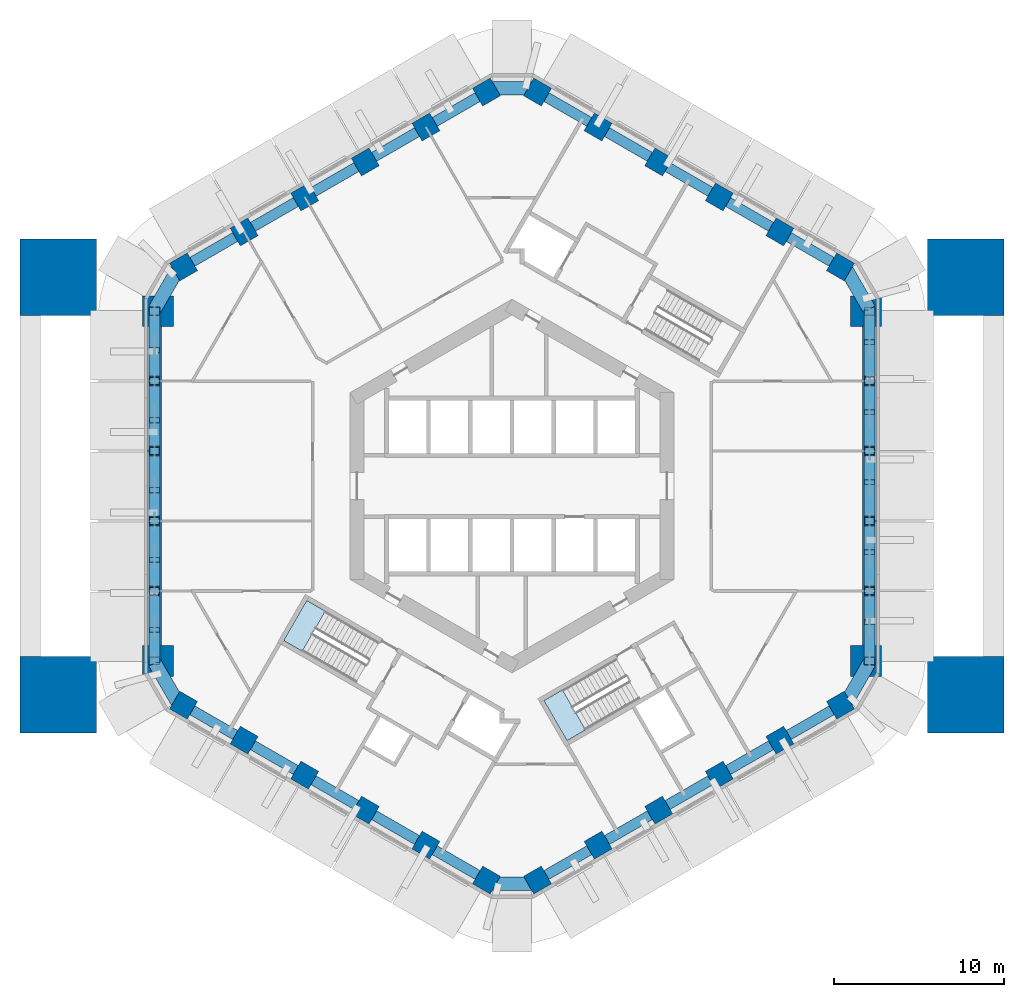
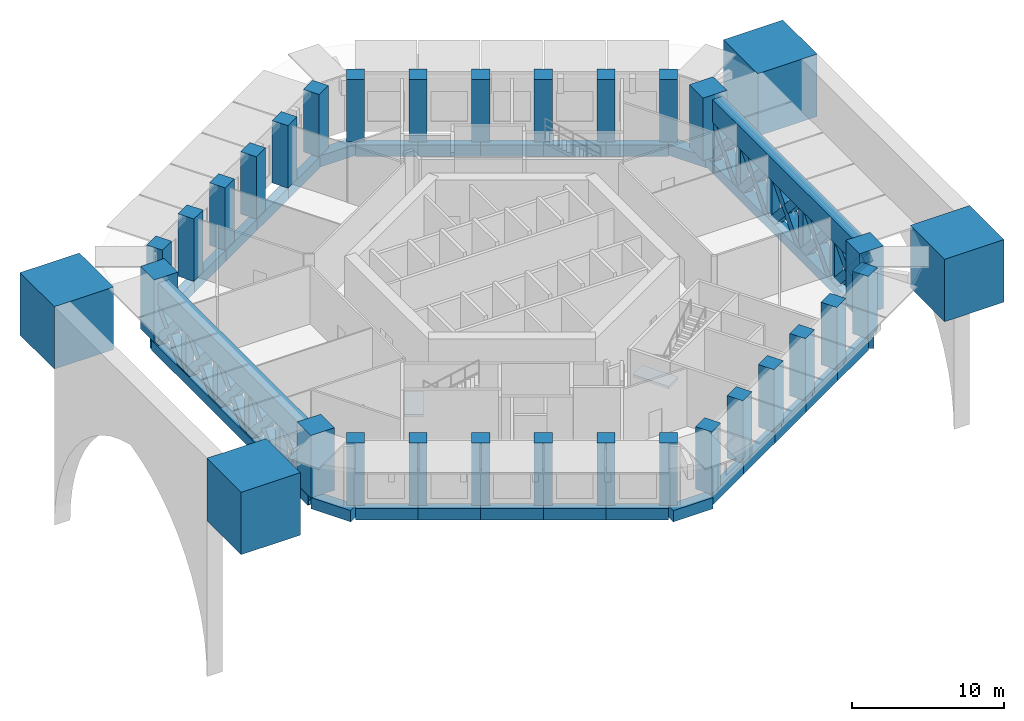
# One storey, part 1 of 10: 42 members, 32 columns, 26 beams, 2 slabs, 2 elements without a shape of their own.
"""IFC4 building model written with IfcOpenShell, lengths in metres."""

import ifcopenshell
import ifcopenshell.guid

model = None  # the IFC model being written
_history = None  # IfcOwnerHistory: only IFC2X3 demands one
_inside = {}  # id of a spatial element -> (the spatial element, [elements in it])
_under = {}  # id of a project, library or spatial element -> (it, [spatial elements below it])
_declared = {}  # id of a project -> (the project, [libraries it declares])
_typed = {}  # id of a type object -> (the type object, [elements of that type])
_made_of = {}  # id of a material, layer set ... -> (it, [elements and type objects made of it])


def new_model(schema):
    """Start an empty IFC model of exactly this schema.

    Asked for "IFC4X3", IfcOpenShell would pick the latest addendum, in which some entities
    have other attributes; the version numbers below select the first issue.
    IFC2X3 requires an IfcOwnerHistory on every rooted entity: one is made here for all.
    """
    global model, _history
    if schema == "IFC4X3":
        model = ifcopenshell.file(schema_version=(4, 3, 0, 0))
    else:
        model = ifcopenshell.file(schema=schema)
    _inside.clear()
    _under.clear()
    _declared.clear()
    _typed.clear()
    _made_of.clear()
    _history = None
    if model.schema == "IFC2X3":
        org = make("IfcOrganization", Name="unknown")
        user = make(
            "IfcPersonAndOrganization",
            ThePerson=make("IfcPerson", FamilyName="unknown"),
            TheOrganization=org,
        )
        app = make(
            "IfcApplication",
            ApplicationDeveloper=org,
            Version="unknown",
            ApplicationFullName="unknown",
            ApplicationIdentifier="unknown",
        )
        _history = make(
            "IfcOwnerHistory",
            OwningUser=user,
            OwningApplication=app,
            ChangeAction="ADDED",
            CreationDate=0,
        )
    return model


def make(cls, **values):
    """One entity of the class cls with the attributes given. An attribute that is None is left unset."""
    return model.create_entity(
        cls, **{name: value for name, value in values.items() if value is not None}
    )


def rooted(cls, **values):
    """An entity with a GlobalId (a new one), such as an element, a storey or a relation."""
    return make(cls, GlobalId=ifcopenshell.guid.new(), OwnerHistory=_history, **values)


def si_unit(unit_type, name, prefix=None):
    """IfcSIUnit, for example si_unit("LENGTHUNIT", "METRE", prefix="MILLI")."""
    return make("IfcSIUnit", UnitType=unit_type, Prefix=prefix, Name=name)


def assignment(units):
    """IfcUnitAssignment: the units of a project."""
    return None if units is None else make("IfcUnitAssignment", Units=units)


def point(xyz):
    """IfcCartesianPoint."""
    return None if xyz is None else make("IfcCartesianPoint", Coordinates=xyz)


def direction(xyz):
    """IfcDirection."""
    return None if xyz is None else make("IfcDirection", DirectionRatios=xyz)


def frame(location, z_axis=None, x_axis=None):
    """IfcAxis2Placement3D, a coordinate frame: its origin and axes. An axis left out is left unset."""
    return make(
        "IfcAxis2Placement3D",
        Location=point(location),
        Axis=direction(z_axis),
        RefDirection=direction(x_axis),
    )


def frame_2d(location, x_axis=None):
    """IfcAxis2Placement2D, a coordinate frame in the plane: its origin and x axis."""
    return make(
        "IfcAxis2Placement2D", Location=point(location), RefDirection=direction(x_axis)
    )


def origin():
    """The frame at (0, 0, 0) with its axes left unset."""
    return frame((0.0, 0.0, 0.0))


def origin_2d():
    """The frame at (0, 0) in the plane with its x axis left unset."""
    return frame_2d((0.0, 0.0))


def place(relative_to, where):
    """IfcLocalPlacement: puts the frame where relative to a parent placement (None: the world)."""
    return make(
        "IfcLocalPlacement", PlacementRelTo=relative_to, RelativePlacement=where
    )


def context(
    kind, dimensions, precision=None, world=None, true_north=None, identifier=None
):
    """IfcGeometricRepresentationContext, for example the 3D "Model" context."""
    return make(
        "IfcGeometricRepresentationContext",
        ContextIdentifier=identifier,
        ContextType=kind,
        CoordinateSpaceDimension=dimensions,
        Precision=precision,
        WorldCoordinateSystem=world,
        TrueNorth=true_north,
    )


def subcontext(parent, identifier, kind, view, scale=None):
    """IfcGeometricRepresentationSubContext, for example "Body" below "Model"."""
    return make(
        "IfcGeometricRepresentationSubContext",
        ContextIdentifier=identifier,
        ContextType=kind,
        ParentContext=parent,
        TargetScale=scale,
        TargetView=view,
    )


def project(units=None, contexts=None):
    """IfcProject with its units and contexts."""
    return rooted(
        "IfcProject",
        Name="project",
        RepresentationContexts=contexts,
        UnitsInContext=assignment(units),
    )


def spatial(cls, under=None, at=None, **own):
    """A site, building, storey or space (cls), placed at a placement, below another one or the project."""
    s = rooted(cls, ObjectPlacement=at, **own)
    if under is not None:
        _under.setdefault(under.id(), (under, []))[1].append(s)
    return s


def polyline(points):
    """IfcPolyline through the points."""
    return make("IfcPolyline", Points=[point(p) for p in points])


def profile(cls, at=None, kind="AREA", **sizes):
    """A parametric profile (cls). Its sizes go by their IFC names, for example OverallWidth=200.0."""
    return make(cls, ProfileType=kind, Position=at, **sizes)


def rectangle(**sizes):
    """IfcRectangleProfileDef."""
    return profile("IfcRectangleProfileDef", **sizes)


def hollow_rectangle(**sizes):
    """IfcRectangleHollowProfileDef."""
    return profile("IfcRectangleHollowProfileDef", **sizes)


def outline(outer, holes=None, kind="AREA"):
    """IfcArbitraryClosedProfileDef: a profile drawn as a closed curve; with holes, ...WithVoids."""
    if holes is None:
        return make("IfcArbitraryClosedProfileDef", ProfileType=kind, OuterCurve=outer)
    return make(
        "IfcArbitraryProfileDefWithVoids",
        ProfileType=kind,
        OuterCurve=outer,
        InnerCurves=holes,
    )


def extrude(swept, where, along, depth):
    """IfcExtrudedAreaSolid: the profile swept, set in the frame where, extruded along a direction by depth."""
    return make(
        "IfcExtrudedAreaSolid",
        SweptArea=swept,
        Position=where,
        ExtrudedDirection=direction(along),
        Depth=depth,
    )


def shape(context_of_items, identifier, shape_type, items):
    """IfcShapeRepresentation: the items that make up one representation, for example the "Body"."""
    return make(
        "IfcShapeRepresentation",
        ContextOfItems=context_of_items,
        RepresentationIdentifier=identifier,
        RepresentationType=shape_type,
        Items=items,
    )


def material(Name=None, Category=None):
    """IfcMaterial."""
    return make("IfcMaterial", Name=Name, Category=Category)


def layer(
    of_material, thickness, ventilated=None, Name=None, Category=None, Priority=None
):
    """IfcMaterialLayer: one layer of a wall or slab, of a material (None: an air gap)."""
    return make(
        "IfcMaterialLayer",
        Material=of_material,
        LayerThickness=thickness,
        IsVentilated=ventilated,
        Name=Name,
        Category=Category,
        Priority=Priority,
    )


def layer_set(layers, Name=None):
    """IfcMaterialLayerSet."""
    return make("IfcMaterialLayerSet", MaterialLayers=layers, LayerSetName=Name)


def material_profile(
    of_material, cross_section, Name=None, Category=None, Priority=None
):
    """IfcMaterialProfile: a cross section and its material."""
    return make(
        "IfcMaterialProfile",
        Name=Name,
        Material=of_material,
        Profile=cross_section,
        Priority=Priority,
        Category=Category,
    )


def profile_set(profiles, Name=None, composite=None):
    """IfcMaterialProfileSet."""
    return make(
        "IfcMaterialProfileSet",
        Name=Name,
        MaterialProfiles=profiles,
        CompositeProfile=composite,
    )


def made_of(thing, what):
    """Note that an element or type object is made of a material, layer set ...; save() writes the relation."""
    if what is not None:
        _made_of.setdefault(what.id(), (what, []))[1].append(thing)
    return thing


def type_object(cls, material=None, **own):
    """A type object (cls), such as IfcWallType, which elements share."""
    return made_of(rooted(cls, **own), material)


def element(
    cls,
    number,
    at=None,
    inside=None,
    cuts=None,
    type_object=None,
    material=None,
    context=None,
    identifier="Body",
    shape_type=None,
    held_by="IfcProductDefinitionShape",
    body=None,
    shapes=None,
    **own,
):
    """One element of the class cls, such as IfcWall. Its Tag is "e" and its number.

    at: its placement. inside: the storey or other place that contains it. cuts: it is an
    opening in that element (IfcRelVoidsElement). A single representation is given by context,
    identifier, shape_type and body (its items); several are given by shapes. held_by: the class
    of the entity that holds the representations. save() writes the other relations.
    """
    e = rooted(cls, Tag="e%d" % number, ObjectPlacement=at, **own)
    if body is not None:
        shapes = [shape(context, identifier, shape_type, body)]
    if shapes is not None:
        e.Representation = make(held_by, Representations=shapes)
    if inside is not None:
        _inside.setdefault(inside.id(), (inside, []))[1].append(e)
    if cuts is not None:
        rooted(
            "IfcRelVoidsElement", RelatingBuildingElement=cuts, RelatedOpeningElement=e
        )
    if type_object is not None:
        _typed.setdefault(type_object.id(), (type_object, []))[1].append(e)
    return made_of(e, material)


def aggregate(whole, parts):
    """IfcRelAggregates: a whole, such as a stair, and the parts it consists of."""
    return rooted("IfcRelAggregates", RelatingObject=whole, RelatedObjects=parts)


def save(model, path):
    """Write the relations noted so far, then the file.

    IfcRelAggregates (storeys below a building ...), IfcRelContainedInSpatialStructure (elements
    in a storey), IfcRelDefinesByType, IfcRelAssociatesMaterial and IfcRelDeclares: one each for
    every whole, place, type object, material and project.
    """
    for whole, parts in _under.values():
        aggregate(whole, parts)
    for where, things in _inside.values():
        rooted(
            "IfcRelContainedInSpatialStructure",
            RelatedElements=things,
            RelatingStructure=where,
        )
    for kind, things in _typed.values():
        rooted("IfcRelDefinesByType", RelatedObjects=things, RelatingType=kind)
    for what, things in _made_of.values():
        rooted("IfcRelAssociatesMaterial", RelatedObjects=things, RelatingMaterial=what)
    for by, libraries in _declared.values():
        rooted("IfcRelDeclares", RelatingContext=by, RelatedDefinitions=libraries)
    model.write(path)


model = new_model("IFC4")

# Units and contexts
model_context = context("Model", 3, precision=1e-05, world=origin(), true_north=direction((0.0, 1.0)))
body_context = subcontext(model_context, "Body", "Model", "MODEL_VIEW")
ifc_project = project(units=[si_unit("LENGTHUNIT", "METRE"), si_unit("AREAUNIT", "SQUARE_METRE"), si_unit("VOLUMEUNIT", "CUBIC_METRE"), si_unit("PLANEANGLEUNIT", "RADIAN"), si_unit("MASSUNIT", "GRAM", prefix="KILO")], contexts=[model_context])

# Site, building, storey
site_placement = place(None, origin())
site = spatial("IfcSite", under=ifc_project, at=site_placement, CompositionType="ELEMENT")
building_placement = place(site_placement, origin())
building = spatial("IfcBuilding", under=site, at=building_placement, Name="Ayvan Gate Tower", CompositionType="ELEMENT")
storey_placement = place(building_placement, frame((0.0, 0.0, 20.5)))
storey = spatial("IfcBuildingStorey", under=building, at=storey_placement, Name="L04", CompositionType="ELEMENT", Elevation=20.5)

# Columns
ifc_material_1 = material(Name="Concrete C60/75", Category="concrete")
ifc_material_profile_1 = material_profile(ifc_material_1, rectangle(XDim=4.5, YDim=4.5, at=origin_2d()), Name="RC 4500x4500")
ifc_profile_set_1 = profile_set([ifc_material_profile_1], Name="Concrete C60/75")
column_type_1 = type_object("IfcColumnType", Name="Portal pier RC 4500x4500 C60/75", PredefinedType="COLUMN", material=ifc_profile_set_1)
for number, where, z_axis, x_axis, name in (
    (1, (26.634521484375, 12.25, 0.0), (0.0, 0.0, 1.0), (1.0, 0.0, 0.0), "Portal pier PP-E-N L04"),
    (2, (26.634521484375, -12.25, 0.0), (0.0, 0.0, 1.0), (1.0, 0.0, 0.0), "Portal pier PP-E-S L04"),
    (3, (-26.634521484375, -12.25, 0.0), (0.0, 0.0, 1.0), (-1.0, 0.0, 0.0), "Portal pier PP-W-S L04"),
    (4, (-26.634521484375, 12.25, 0.0), (0.0, 0.0, 1.0), (-1.0, 0.0, 0.0), "Portal pier PP-W-N L04"),
):
    element("IfcColumn", number, at=place(storey_placement, frame(where, z_axis=z_axis, x_axis=x_axis)), inside=storey, type_object=column_type_1, Name=name, PredefinedType="COLUMN", context=body_context, shape_type="SweptSolid", body=[
        extrude(rectangle(XDim=4.5, YDim=4.5, at=origin_2d()), origin(), (0.0, 0.0, 1.0), 5.0),
    ])
ifc_material_2 = material(Name="Concrete C70/85", Category="concrete")
ifc_material_profile_2 = material_profile(ifc_material_2, rectangle(XDim=1.199951171875, YDim=1.199951171875, at=origin_2d()), Name="RC 1200x1200")
ifc_profile_set_2 = profile_set([ifc_material_profile_2], Name="Concrete C70/85")
column_type_2 = type_object("IfcColumnType", Name="Tube column RC 1200x1200 C70/85", PredefinedType="COLUMN", material=ifc_profile_set_2)
for number, where, z_axis, x_axis, name in (
    (5, (19.28466796875, 12.865966796875, 0.0), (0.0, 0.0, 1.0), (0.5, 0.866025403784, 0.0), "C-T1-0-L04"),
    (6, (15.727783203125, 14.919677734375, 0.0), (0.0, 0.0, 1.0), (0.5, 0.866025403784, 0.0), "C-T1-1-L04"),
    (7, (12.170654296875, 16.97314453125, 0.0), (0.0, 0.0, 1.0), (0.5, 0.866025403784, 0.0), "C-T1-2-L04"),
    (8, (8.61376953125, 19.02685546875, 0.0), (0.0, 0.0, 1.0), (0.5, 0.866025403784, 0.0), "C-T1-3-L04"),
    (9, (5.056884765625, 21.080322265625, 0.0), (0.0, 0.0, 1.0), (0.5, 0.866025403784, 0.0), "C-T1-4-L04"),
    (10, (1.5, 23.134033203125, 0.0), (0.0, 0.0, 1.0), (0.5, 0.866025403784, 0.0), "C-T1-5-L04"),
    (11, (-1.5, 23.134033203125, 0.0), (0.0, 0.0, 1.0), (-0.5, 0.866025403784, 0.0), "C-T2-0-L04"),
    (12, (-5.056884765625, 21.080322265625, 0.0), (0.0, 0.0, 1.0), (-0.5, 0.866025403784, 0.0), "C-T2-1-L04"),
    (13, (-8.61376953125, 19.02685546875, 0.0), (0.0, 0.0, 1.0), (-0.5, 0.866025403784, 0.0), "C-T2-2-L04"),
    (14, (-12.170654296875, 16.97314453125, 0.0), (0.0, 0.0, 1.0), (-0.5, 0.866025403784, 0.0), "C-T2-3-L04"),
    (15, (-15.727783203125, 14.919677734375, 0.0), (0.0, 0.0, 1.0), (-0.5, 0.866025403784, 0.0), "C-T2-4-L04"),
    (16, (-19.28466796875, 12.865966796875, 0.0), (0.0, 0.0, 1.0), (-0.5, 0.866025403784, 0.0), "C-T2-5-L04"),
    (17, (-19.28466796875, -12.865966796875, 0.0), (0.0, 0.0, 1.0), (-0.5, -0.866025403784, 0.0), "C-T4-0-L04"),
    (18, (-15.727783203125, -14.919677734375, 0.0), (0.0, 0.0, 1.0), (-0.5, -0.866025403784, 0.0), "C-T4-1-L04"),
    (19, (-12.170654296875, -16.97314453125, 0.0), (0.0, 0.0, 1.0), (-0.5, -0.866025403784, 0.0), "C-T4-2-L04"),
    (20, (-8.61376953125, -19.02685546875, 0.0), (0.0, 0.0, 1.0), (-0.5, -0.866025403784, 0.0), "C-T4-3-L04"),
    (21, (-5.056884765625, -21.080322265625, 0.0), (0.0, 0.0, 1.0), (-0.5, -0.866025403784, 0.0), "C-T4-4-L04"),
    (22, (-1.5, -23.134033203125, 0.0), (0.0, 0.0, 1.0), (-0.5, -0.866025403784, 0.0), "C-T4-5-L04"),
    (23, (1.5, -23.134033203125, 0.0), (0.0, 0.0, 1.0), (0.5, -0.866025403784, 0.0), "C-T5-0-L04"),
    (24, (5.056884765625, -21.080322265625, 0.0), (0.0, 0.0, 1.0), (0.5, -0.866025403784, 0.0), "C-T5-1-L04"),
    (25, (8.61376953125, -19.02685546875, 0.0), (0.0, 0.0, 1.0), (0.5, -0.866025403784, 0.0), "C-T5-2-L04"),
    (26, (12.170654296875, -16.97314453125, 0.0), (0.0, 0.0, 1.0), (0.5, -0.866025403784, 0.0), "C-T5-3-L04"),
    (27, (15.727783203125, -14.919677734375, 0.0), (0.0, 0.0, 1.0), (0.5, -0.866025403784, 0.0), "C-T5-4-L04"),
    (28, (19.28466796875, -12.865966796875, 0.0), (0.0, 0.0, 1.0), (0.5, -0.866025403784, 0.0), "C-T5-5-L04"),
):
    element("IfcColumn", number, at=place(storey_placement, frame(where, z_axis=z_axis, x_axis=x_axis)), inside=storey, type_object=column_type_2, Name=name, PredefinedType="COLUMN", context=body_context, shape_type="SweptSolid", body=[
        extrude(rectangle(XDim=1.199951171875, YDim=1.199951171875, at=origin_2d()), origin(), (0.0, 0.0, 1.0), 5.0),
    ])
ifc_material_profile_3 = material_profile(ifc_material_2, rectangle(XDim=1.800048828125, YDim=1.800048828125, at=origin_2d()), Name="RC 1800x1800")
ifc_profile_set_3 = profile_set([ifc_material_profile_3], Name="Concrete C70/85")
column_type_3 = type_object("IfcColumnType", Name="Tube column RC 1800x1800 C70/85", PredefinedType="COLUMN", material=ifc_profile_set_3)
for number, where, z_axis, x_axis, name in (
    (29, (20.78466796875, -10.26806640625, 0.0), (0.0, 0.0, 1.0), (1.0, 0.0, 0.0), "C-T0-0-L04"),
    (30, (20.78466796875, 10.26806640625, 0.0), (0.0, 0.0, 1.0), (1.0, 0.0, 0.0), "C-T0-5-L04"),
    (31, (-20.78466796875, 10.26806640625, 0.0), (0.0, 0.0, 1.0), (-1.0, 0.0, 0.0), "C-T3-0-L04"),
    (32, (-20.78466796875, -10.26806640625, 0.0), (0.0, 0.0, 1.0), (-1.0, 0.0, 0.0), "C-T3-5-L04"),
):
    element("IfcColumn", number, at=place(storey_placement, frame(where, z_axis=z_axis, x_axis=x_axis)), inside=storey, type_object=column_type_3, Name=name, PredefinedType="COLUMN", context=body_context, shape_type="SweptSolid", body=[
        extrude(rectangle(XDim=1.800048828125, YDim=1.800048828125, at=origin_2d()), origin(), (0.0, 0.0, 1.0), 5.0),
    ])

# Members
ifc_material_3 = material(Name="Steel S460ML", Category="steel")
ifc_material_profile_4 = material_profile(ifc_material_3, hollow_rectangle(XDim=0.800048828125, YDim=0.800048828125, WallThickness=0.050048828125, at=origin_2d()), Name="BOX 800x800x50")
ifc_profile_set_4 = profile_set([ifc_material_profile_4], Name="Steel S460ML")
member_type_1 = type_object("IfcMemberType", Name="Arch transfer truss bottom chord BOX 800x800x50", PredefinedType="CHORD", material=ifc_profile_set_4)
for number, where, z_axis, x_axis, name in (
    (33, (20.984619140625, -10.26806640625, -0.85009765625), (0.0, 1.0, 0.0), (-1.0, 0.0, 0.0), "TT-E-BC"),
    (34, (-20.984619140625, 10.26806640625, -0.85009765625), (0.0, -1.0, 0.0), (1.0, 0.0, 0.0), "TT-W-BC"),
):
    element("IfcMember", number, at=place(storey_placement, frame(where, z_axis=z_axis, x_axis=x_axis)), inside=storey, type_object=member_type_1, Name=name, PredefinedType="CHORD", context=body_context, shape_type="SweptSolid", body=[
        extrude(hollow_rectangle(XDim=0.800048828125, YDim=0.800048828125, WallThickness=0.050048828125, at=origin_2d()), origin(), (0.0, 0.0, 1.0), 20.5361328125),
    ])
ifc_material_profile_5 = material_profile(ifc_material_3, hollow_rectangle(XDim=0.64990234375, YDim=0.64990234375, WallThickness=0.0400390625, at=origin_2d()), Name="BOX 650x650x40")
ifc_profile_set_5 = profile_set([ifc_material_profile_5], Name="Steel S460ML")
member_type_2 = type_object("IfcMemberType", Name="Arch transfer truss brace BOX 650x650x40", PredefinedType="BRACE", material=ifc_profile_set_5)
member_1_placement = place(storey_placement, frame((20.984619140625, -10.26806640625, -0.85009765625), z_axis=(0.0, 0.666011048923, 0.745941876229), x_axis=(-1.0, 0.0, 0.0)))
element("IfcMember", 35, at=member_1_placement, inside=storey, type_object=member_type_2, Name="TT-E-DA-1", PredefinedType="BRACE", context=body_context, shape_type="SweptSolid", body=[
    extrude(hollow_rectangle(XDim=0.64990234375, YDim=0.64990234375, WallThickness=0.0400390625, at=origin_2d()), origin(), (0.0, 0.0, 1.0), 6.166748046875),
])
for number, where, z_axis, x_axis, name in (
    (36, (20.984619140625, -6.160888671875, -0.85009765625), (0.0, -0.666017467878, 0.745936145043), (1.0, 0.0, 0.0), "TT-E-DB-1"),
    (37, (20.984619140625, -8.36572265625, 1.619384765625), (0.0, -0.666017467878, 0.745936145043), (1.0, 0.0, 0.0), "TT-E-DC-1"),
):
    element("IfcMember", number, at=place(storey_placement, frame(where, z_axis=z_axis, x_axis=x_axis)), inside=storey, type_object=member_type_2, Name=name, PredefinedType="BRACE", context=body_context, shape_type="SweptSolid", body=[
        extrude(hollow_rectangle(XDim=0.64990234375, YDim=0.64990234375, WallThickness=0.0400390625, at=origin_2d()), origin(), (0.0, 0.0, 1.0), 2.856201171875),
    ])
member_2_placement = place(storey_placement, frame((20.984619140625, -6.160888671875, -0.85009765625), z_axis=(0.0, 0.666011048923, 0.745941876229), x_axis=(-1.0, 0.0, 0.0)))
element("IfcMember", 38, at=member_2_placement, inside=storey, type_object=member_type_2, Name="TT-E-DA-2", PredefinedType="BRACE", context=body_context, shape_type="SweptSolid", body=[
    extrude(hollow_rectangle(XDim=0.64990234375, YDim=0.64990234375, WallThickness=0.0400390625, at=origin_2d()), origin(), (0.0, 0.0, 1.0), 6.166748046875),
])
for number, where, z_axis, x_axis, name in (
    (39, (20.984619140625, -2.0537109375, -0.85009765625), (0.0, -0.666017467878, 0.745936145043), (1.0, 0.0, 0.0), "TT-E-DB-2"),
    (40, (20.984619140625, -4.258544921875, 1.619384765625), (0.0, -0.666017467878, 0.745936145043), (1.0, 0.0, 0.0), "TT-E-DC-2"),
):
    element("IfcMember", number, at=place(storey_placement, frame(where, z_axis=z_axis, x_axis=x_axis)), inside=storey, type_object=member_type_2, Name=name, PredefinedType="BRACE", context=body_context, shape_type="SweptSolid", body=[
        extrude(hollow_rectangle(XDim=0.64990234375, YDim=0.64990234375, WallThickness=0.0400390625, at=origin_2d()), origin(), (0.0, 0.0, 1.0), 2.856201171875),
    ])
member_3_placement = place(storey_placement, frame((20.984619140625, -2.0537109375, -0.85009765625), z_axis=(0.0, 0.666033076706, 0.745922208232), x_axis=(-1.0, 0.0, 0.0)))
element("IfcMember", 41, at=member_3_placement, inside=storey, type_object=member_type_2, Name="TT-E-DA-3", PredefinedType="BRACE", context=body_context, shape_type="SweptSolid", body=[
    extrude(hollow_rectangle(XDim=0.64990234375, YDim=0.64990234375, WallThickness=0.0400390625, at=origin_2d()), origin(), (0.0, 0.0, 1.0), 6.1669921875),
])
for number, where, z_axis, x_axis, name in (
    (42, (20.984619140625, 2.0537109375, -0.85009765625), (0.0, -0.666017467878, 0.745936145043), (1.0, 0.0, 0.0), "TT-E-DB-3"),
    (43, (20.984619140625, -0.1513671875, 1.619384765625), (0.0, -0.666017467878, 0.745936145043), (1.0, 0.0, 0.0), "TT-E-DC-3"),
):
    element("IfcMember", number, at=place(storey_placement, frame(where, z_axis=z_axis, x_axis=x_axis)), inside=storey, type_object=member_type_2, Name=name, PredefinedType="BRACE", context=body_context, shape_type="SweptSolid", body=[
        extrude(hollow_rectangle(XDim=0.64990234375, YDim=0.64990234375, WallThickness=0.0400390625, at=origin_2d()), origin(), (0.0, 0.0, 1.0), 2.856201171875),
    ])
member_4_placement = place(storey_placement, frame((20.984619140625, 2.0537109375, -0.85009765625), z_axis=(0.0, 0.666011048923, 0.745941876229), x_axis=(-1.0, 0.0, 0.0)))
element("IfcMember", 44, at=member_4_placement, inside=storey, type_object=member_type_2, Name="TT-E-DA-4", PredefinedType="BRACE", context=body_context, shape_type="SweptSolid", body=[
    extrude(hollow_rectangle(XDim=0.64990234375, YDim=0.64990234375, WallThickness=0.0400390625, at=origin_2d()), origin(), (0.0, 0.0, 1.0), 6.166748046875),
])
for number, where, z_axis, x_axis, name in (
    (45, (20.984619140625, 6.160888671875, -0.85009765625), (0.0, -0.666017467878, 0.745936145043), (1.0, 0.0, 0.0), "TT-E-DB-4"),
    (46, (20.984619140625, 3.9560546875, 1.619384765625), (0.0, -0.666017467878, 0.745936145043), (1.0, 0.0, 0.0), "TT-E-DC-4"),
):
    element("IfcMember", number, at=place(storey_placement, frame(where, z_axis=z_axis, x_axis=x_axis)), inside=storey, type_object=member_type_2, Name=name, PredefinedType="BRACE", context=body_context, shape_type="SweptSolid", body=[
        extrude(hollow_rectangle(XDim=0.64990234375, YDim=0.64990234375, WallThickness=0.0400390625, at=origin_2d()), origin(), (0.0, 0.0, 1.0), 2.856201171875),
    ])
member_5_placement = place(storey_placement, frame((20.984619140625, 6.160888671875, -0.85009765625), z_axis=(0.0, 0.666011048923, 0.745941876229), x_axis=(-1.0, 0.0, 0.0)))
element("IfcMember", 47, at=member_5_placement, inside=storey, type_object=member_type_2, Name="TT-E-DA-5", PredefinedType="BRACE", context=body_context, shape_type="SweptSolid", body=[
    extrude(hollow_rectangle(XDim=0.64990234375, YDim=0.64990234375, WallThickness=0.0400390625, at=origin_2d()), origin(), (0.0, 0.0, 1.0), 6.166748046875),
])
for number, where, z_axis, x_axis, name in (
    (48, (20.984619140625, 10.26806640625, -0.85009765625), (0.0, -0.666017467878, 0.745936145043), (1.0, 0.0, 0.0), "TT-E-DB-5"),
    (49, (20.984619140625, 8.063232421875, 1.619384765625), (0.0, -0.666017467878, 0.745936145043), (1.0, 0.0, 0.0), "TT-E-DC-5"),
):
    element("IfcMember", number, at=place(storey_placement, frame(where, z_axis=z_axis, x_axis=x_axis)), inside=storey, type_object=member_type_2, Name=name, PredefinedType="BRACE", context=body_context, shape_type="SweptSolid", body=[
        extrude(hollow_rectangle(XDim=0.64990234375, YDim=0.64990234375, WallThickness=0.0400390625, at=origin_2d()), origin(), (0.0, 0.0, 1.0), 2.856201171875),
    ])
member_6_placement = place(storey_placement, frame((-20.984619140625, 10.26806640625, -0.85009765625), z_axis=(0.0, -0.666011048923, 0.745941876229), x_axis=(1.0, 0.0, 0.0)))
element("IfcMember", 50, at=member_6_placement, inside=storey, type_object=member_type_2, Name="TT-W-DA-1", PredefinedType="BRACE", context=body_context, shape_type="SweptSolid", body=[
    extrude(hollow_rectangle(XDim=0.64990234375, YDim=0.64990234375, WallThickness=0.0400390625, at=origin_2d()), origin(), (0.0, 0.0, 1.0), 6.166748046875),
])
for number, where, z_axis, x_axis, name in (
    (51, (-20.984619140625, 6.160888671875, -0.85009765625), (0.0, 0.666017467878, 0.745936145043), (-1.0, 0.0, 0.0), "TT-W-DB-1"),
    (52, (-20.984619140625, 8.36572265625, 1.619384765625), (0.0, 0.666017467878, 0.745936145043), (-1.0, 0.0, 0.0), "TT-W-DC-1"),
):
    element("IfcMember", number, at=place(storey_placement, frame(where, z_axis=z_axis, x_axis=x_axis)), inside=storey, type_object=member_type_2, Name=name, PredefinedType="BRACE", context=body_context, shape_type="SweptSolid", body=[
        extrude(hollow_rectangle(XDim=0.64990234375, YDim=0.64990234375, WallThickness=0.0400390625, at=origin_2d()), origin(), (0.0, 0.0, 1.0), 2.856201171875),
    ])
member_7_placement = place(storey_placement, frame((-20.984619140625, 6.160888671875, -0.85009765625), z_axis=(0.0, -0.666011048923, 0.745941876229), x_axis=(1.0, 0.0, 0.0)))
element("IfcMember", 53, at=member_7_placement, inside=storey, type_object=member_type_2, Name="TT-W-DA-2", PredefinedType="BRACE", context=body_context, shape_type="SweptSolid", body=[
    extrude(hollow_rectangle(XDim=0.64990234375, YDim=0.64990234375, WallThickness=0.0400390625, at=origin_2d()), origin(), (0.0, 0.0, 1.0), 6.166748046875),
])
for number, where, z_axis, x_axis, name in (
    (54, (-20.984619140625, 2.0537109375, -0.85009765625), (0.0, 0.666017467878, 0.745936145043), (-1.0, 0.0, 0.0), "TT-W-DB-2"),
    (55, (-20.984619140625, 4.258544921875, 1.619384765625), (0.0, 0.666017467878, 0.745936145043), (-1.0, 0.0, 0.0), "TT-W-DC-2"),
):
    element("IfcMember", number, at=place(storey_placement, frame(where, z_axis=z_axis, x_axis=x_axis)), inside=storey, type_object=member_type_2, Name=name, PredefinedType="BRACE", context=body_context, shape_type="SweptSolid", body=[
        extrude(hollow_rectangle(XDim=0.64990234375, YDim=0.64990234375, WallThickness=0.0400390625, at=origin_2d()), origin(), (0.0, 0.0, 1.0), 2.856201171875),
    ])
member_8_placement = place(storey_placement, frame((-20.984619140625, 2.0537109375, -0.85009765625), z_axis=(0.0, -0.666033076706, 0.745922208232), x_axis=(1.0, 0.0, 0.0)))
element("IfcMember", 56, at=member_8_placement, inside=storey, type_object=member_type_2, Name="TT-W-DA-3", PredefinedType="BRACE", context=body_context, shape_type="SweptSolid", body=[
    extrude(hollow_rectangle(XDim=0.64990234375, YDim=0.64990234375, WallThickness=0.0400390625, at=origin_2d()), origin(), (0.0, 0.0, 1.0), 6.1669921875),
])
for number, where, z_axis, x_axis, name in (
    (57, (-20.984619140625, -2.0537109375, -0.85009765625), (0.0, 0.666017467878, 0.745936145043), (-1.0, 0.0, 0.0), "TT-W-DB-3"),
    (58, (-20.984619140625, 0.1513671875, 1.619384765625), (0.0, 0.666017467878, 0.745936145043), (-1.0, 0.0, 0.0), "TT-W-DC-3"),
):
    element("IfcMember", number, at=place(storey_placement, frame(where, z_axis=z_axis, x_axis=x_axis)), inside=storey, type_object=member_type_2, Name=name, PredefinedType="BRACE", context=body_context, shape_type="SweptSolid", body=[
        extrude(hollow_rectangle(XDim=0.64990234375, YDim=0.64990234375, WallThickness=0.0400390625, at=origin_2d()), origin(), (0.0, 0.0, 1.0), 2.856201171875),
    ])
member_9_placement = place(storey_placement, frame((-20.984619140625, -2.0537109375, -0.85009765625), z_axis=(0.0, -0.666011048923, 0.745941876229), x_axis=(1.0, 0.0, 0.0)))
element("IfcMember", 59, at=member_9_placement, inside=storey, type_object=member_type_2, Name="TT-W-DA-4", PredefinedType="BRACE", context=body_context, shape_type="SweptSolid", body=[
    extrude(hollow_rectangle(XDim=0.64990234375, YDim=0.64990234375, WallThickness=0.0400390625, at=origin_2d()), origin(), (0.0, 0.0, 1.0), 6.166748046875),
])
for number, where, z_axis, x_axis, name in (
    (60, (-20.984619140625, -6.160888671875, -0.85009765625), (0.0, 0.666017467878, 0.745936145043), (-1.0, 0.0, 0.0), "TT-W-DB-4"),
    (61, (-20.984619140625, -3.9560546875, 1.619384765625), (0.0, 0.666017467878, 0.745936145043), (-1.0, 0.0, 0.0), "TT-W-DC-4"),
):
    element("IfcMember", number, at=place(storey_placement, frame(where, z_axis=z_axis, x_axis=x_axis)), inside=storey, type_object=member_type_2, Name=name, PredefinedType="BRACE", context=body_context, shape_type="SweptSolid", body=[
        extrude(hollow_rectangle(XDim=0.64990234375, YDim=0.64990234375, WallThickness=0.0400390625, at=origin_2d()), origin(), (0.0, 0.0, 1.0), 2.856201171875),
    ])
member_10_placement = place(storey_placement, frame((-20.984619140625, -6.160888671875, -0.85009765625), z_axis=(0.0, -0.666011048923, 0.745941876229), x_axis=(1.0, 0.0, 0.0)))
element("IfcMember", 62, at=member_10_placement, inside=storey, type_object=member_type_2, Name="TT-W-DA-5", PredefinedType="BRACE", context=body_context, shape_type="SweptSolid", body=[
    extrude(hollow_rectangle(XDim=0.64990234375, YDim=0.64990234375, WallThickness=0.0400390625, at=origin_2d()), origin(), (0.0, 0.0, 1.0), 6.166748046875),
])
for number, where, z_axis, x_axis, name in (
    (63, (-20.984619140625, -10.26806640625, -0.85009765625), (0.0, 0.666017467878, 0.745936145043), (-1.0, 0.0, 0.0), "TT-W-DB-5"),
    (64, (-20.984619140625, -8.063232421875, 1.619384765625), (0.0, 0.666017467878, 0.745936145043), (-1.0, 0.0, 0.0), "TT-W-DC-5"),
):
    element("IfcMember", number, at=place(storey_placement, frame(where, z_axis=z_axis, x_axis=x_axis)), inside=storey, type_object=member_type_2, Name=name, PredefinedType="BRACE", context=body_context, shape_type="SweptSolid", body=[
        extrude(hollow_rectangle(XDim=0.64990234375, YDim=0.64990234375, WallThickness=0.0400390625, at=origin_2d()), origin(), (0.0, 0.0, 1.0), 2.856201171875),
    ])
ifc_material_profile_6 = material_profile(ifc_material_3, hollow_rectangle(XDim=0.60009765625, YDim=0.60009765625, WallThickness=0.0400390625, at=origin_2d()), Name="BOX 600x600x40")
ifc_profile_set_6 = profile_set([ifc_material_profile_6], Name="Steel S460ML")
member_type_3 = type_object("IfcMemberType", Name="Arch transfer truss post BOX 600x600x40", PredefinedType="POST", material=ifc_profile_set_6)
for number, where, z_axis, x_axis, name in (
    (65, (20.984619140625, -6.160888671875, -0.449951171875), (0.0, 0.0, 1.0), (1.0, 0.0, 0.0), "TT-E-P-1"),
    (66, (20.984619140625, -2.0537109375, -0.449951171875), (0.0, 0.0, 1.0), (1.0, 0.0, 0.0), "TT-E-P-2"),
    (67, (20.984619140625, 2.0537109375, -0.449951171875), (0.0, 0.0, 1.0), (1.0, 0.0, 0.0), "TT-E-P-3"),
    (68, (20.984619140625, 6.160888671875, -0.449951171875), (0.0, 0.0, 1.0), (1.0, 0.0, 0.0), "TT-E-P-4"),
    (69, (-20.984619140625, 6.160888671875, -0.449951171875), (0.0, 0.0, 1.0), (1.0, 0.0, 0.0), "TT-W-P-1"),
    (70, (-20.984619140625, 2.0537109375, -0.449951171875), (0.0, 0.0, 1.0), (1.0, 0.0, 0.0), "TT-W-P-2"),
    (71, (-20.984619140625, -2.0537109375, -0.449951171875), (0.0, 0.0, 1.0), (1.0, 0.0, 0.0), "TT-W-P-3"),
    (72, (-20.984619140625, -6.160888671875, -0.449951171875), (0.0, 0.0, 1.0), (1.0, 0.0, 0.0), "TT-W-P-4"),
):
    element("IfcMember", number, at=place(storey_placement, frame(where, z_axis=z_axis, x_axis=x_axis)), inside=storey, type_object=member_type_3, Name=name, PredefinedType="POST", context=body_context, shape_type="SweptSolid", body=[
        extrude(hollow_rectangle(XDim=0.60009765625, YDim=0.60009765625, WallThickness=0.0400390625, at=origin_2d()), origin(), (0.0, 0.0, 1.0), 3.300048828125),
    ])
ifc_material_profile_7 = material_profile(ifc_material_3, hollow_rectangle(XDim=0.800048828125, YDim=1.800048828125, WallThickness=0.050048828125, at=origin_2d()), Name="BOX 800x1800x50")
ifc_profile_set_7 = profile_set([ifc_material_profile_7], Name="Steel S460ML")
member_type_4 = type_object("IfcMemberType", Name="Arch transfer truss top chord BOX 800x1800x50", PredefinedType="CHORD", material=ifc_profile_set_7)
for number, where, z_axis, x_axis, name in (
    (73, (20.984619140625, -10.26806640625, 3.75), (0.0, 1.0, 0.0), (-1.0, 0.0, 0.0), "TT-E-TC"),
    (74, (-20.984619140625, 10.26806640625, 3.75), (0.0, -1.0, 0.0), (1.0, 0.0, 0.0), "TT-W-TC"),
):
    element("IfcMember", number, at=place(storey_placement, frame(where, z_axis=z_axis, x_axis=x_axis)), inside=storey, type_object=member_type_4, Name=name, PredefinedType="CHORD", context=body_context, shape_type="SweptSolid", body=[
        extrude(hollow_rectangle(XDim=0.800048828125, YDim=1.800048828125, WallThickness=0.050048828125, at=origin_2d()), origin(), (0.0, 0.0, 1.0), 20.5361328125),
    ])

# Beams
ifc_material_4 = material(Name="Concrete C40/50", Category="concrete")
ifc_material_profile_8 = material_profile(ifc_material_4, rectangle(XDim=0.800048828125, YDim=0.89990234375, at=origin_2d()), Name="RC 800x900")
ifc_profile_set_8 = profile_set([ifc_material_profile_8], Name="Concrete C40/50")
beam_type_1 = type_object("IfcBeamType", Name="Corner spandrel beam RC 800x900 C40/50", PredefinedType="BEAM", material=ifc_profile_set_8)
for number, where, z_axis, x_axis, name in (
    (75, (20.97509765625, 10.3779296875, -0.89990234375), (-0.499990139034, 0.866031096941, 0.0), (-0.866031096941, -0.499990139034, 0.0), "SB-L04-6"),
    (76, (1.5, 23.35400390625, -0.89990234375), (-1.0, 0.0, 0.0), (0.0, -1.0, 0.0), "SB-L04-12"),
    (77, (-19.47509765625, 12.97607421875, -0.89990234375), (-0.499990139034, -0.866031096941, 0.0), (0.866031096941, -0.499990139034, 0.0), "SB-L04-18"),
    (78, (-20.97509765625, -10.3779296875, -0.89990234375), (0.499990139034, -0.866031096941, 0.0), (0.866031096941, 0.499990139034, 0.0), "SB-L04-24"),
    (79, (-1.5, -23.35400390625, -0.89990234375), (1.0, 0.0, 0.0), (0.0, 1.0, 0.0), "SB-L04-30"),
    (80, (19.47509765625, -12.97607421875, -0.89990234375), (0.499990139034, 0.866031096941, 0.0), (-0.866031096941, 0.499990139034, 0.0), "SB-L04-36"),
):
    element("IfcBeam", number, at=place(storey_placement, frame(where, z_axis=z_axis, x_axis=x_axis)), inside=storey, type_object=beam_type_1, Name=name, PredefinedType="BEAM", context=body_context, shape_type="SweptSolid", body=[
        extrude(rectangle(XDim=0.800048828125, YDim=0.89990234375, at=origin_2d()), origin(), (0.0, 0.0, 1.0), 3.0),
    ])
ifc_material_profile_9 = material_profile(ifc_material_4, rectangle(XDim=0.60009765625, YDim=0.89990234375, at=origin_2d()), Name="RC 600x900")
ifc_profile_set_9 = profile_set([ifc_material_profile_9], Name="Concrete C40/50")
beam_type_2 = type_object("IfcBeamType", Name="Spandrel beam RC 600x900 C40/50", PredefinedType="BEAM", material=ifc_profile_set_9)
for number, where, z_axis, x_axis, name in (
    (81, (19.28466796875, 12.865966796875, -0.89990234375), (-0.866010373586, 0.500026032164, 0.0), (-0.500026032164, -0.866010373586, 0.0), "SB-L04-7"),
    (82, (15.727783203125, 14.919677734375, -0.89990234375), (-0.866050971923, 0.499955712069, 0.0), (-0.499955712069, -0.866050971923, 0.0), "SB-L04-8"),
    (83, (12.170654296875, 16.97314453125, -0.89990234375), (-0.866010373586, 0.500026032164, 0.0), (-0.500026032164, -0.866010373586, 0.0), "SB-L04-9"),
    (84, (8.61376953125, 19.02685546875, -0.89990234375), (-0.866036113234, 0.499981450231, 0.0), (-0.499981450231, -0.866036113234, 0.0), "SB-L04-10"),
    (85, (5.056884765625, 21.080322265625, -0.89990234375), (-0.866010373586, 0.500026032164, 0.0), (-0.500026032164, -0.866010373586, 0.0), "SB-L04-11"),
    (86, (-1.5, 23.134033203125, -0.89990234375), (-0.866010373586, -0.500026032164, 0.0), (0.500026032164, -0.866010373586, 0.0), "SB-L04-13"),
    (87, (-5.056884765625, 21.080322265625, -0.89990234375), (-0.866036113234, -0.499981450231, 0.0), (0.499981450231, -0.866036113234, 0.0), "SB-L04-14"),
    (88, (-8.61376953125, 19.02685546875, -0.89990234375), (-0.866010373586, -0.500026032164, 0.0), (0.500026032164, -0.866010373586, 0.0), "SB-L04-15"),
    (89, (-12.170654296875, 16.97314453125, -0.89990234375), (-0.866050971923, -0.499955712069, 0.0), (0.499955712069, -0.866050971923, 0.0), "SB-L04-16"),
    (90, (-15.727783203125, 14.919677734375, -0.89990234375), (-0.866010373586, -0.500026032164, 0.0), (0.500026032164, -0.866010373586, 0.0), "SB-L04-17"),
    (91, (-19.28466796875, -12.865966796875, -0.89990234375), (0.866010373586, -0.500026032164, 0.0), (0.500026032164, 0.866010373586, 0.0), "SB-L04-25"),
    (92, (-15.727783203125, -14.919677734375, -0.89990234375), (0.866050971923, -0.499955712069, 0.0), (0.499955712069, 0.866050971923, 0.0), "SB-L04-26"),
    (93, (-12.170654296875, -16.97314453125, -0.89990234375), (0.866010373586, -0.500026032164, 0.0), (0.500026032164, 0.866010373586, 0.0), "SB-L04-27"),
    (94, (-8.61376953125, -19.02685546875, -0.89990234375), (0.866036113234, -0.499981450231, 0.0), (0.499981450231, 0.866036113234, 0.0), "SB-L04-28"),
    (95, (-5.056884765625, -21.080322265625, -0.89990234375), (0.866010373586, -0.500026032164, 0.0), (0.500026032164, 0.866010373586, 0.0), "SB-L04-29"),
    (96, (1.5, -23.134033203125, -0.89990234375), (0.866010373586, 0.500026032164, 0.0), (-0.500026032164, 0.866010373586, 0.0), "SB-L04-31"),
    (97, (5.056884765625, -21.080322265625, -0.89990234375), (0.866036113234, 0.499981450231, 0.0), (-0.499981450231, 0.866036113234, 0.0), "SB-L04-32"),
    (98, (8.61376953125, -19.02685546875, -0.89990234375), (0.866010373586, 0.500026032164, 0.0), (-0.500026032164, 0.866010373586, 0.0), "SB-L04-33"),
    (99, (12.170654296875, -16.97314453125, -0.89990234375), (0.866050971923, 0.499955712069, 0.0), (-0.499955712069, 0.866050971923, 0.0), "SB-L04-34"),
    (100, (15.727783203125, -14.919677734375, -0.89990234375), (0.866010373586, 0.500026032164, 0.0), (-0.500026032164, 0.866010373586, 0.0), "SB-L04-35"),
):
    element("IfcBeam", number, at=place(storey_placement, frame(where, z_axis=z_axis, x_axis=x_axis)), inside=storey, type_object=beam_type_2, Name=name, PredefinedType="BEAM", context=body_context, shape_type="SweptSolid", body=[
        extrude(rectangle(XDim=0.60009765625, YDim=0.89990234375, at=origin_2d()), origin(), (0.0, 0.0, 1.0), 4.107177734375),
    ])

# Stair, slab
stair_type = type_object("IfcStairType", Name="ST-EXIT", PredefinedType="HALF_TURN_STAIR", material=ifc_material_4)
stair_1_placement = place(storey_placement, origin())
stair_1 = element("IfcStair", 101, at=stair_1_placement, inside=storey, type_object=stair_type, Name="L04 Exit Stair S2", PredefinedType="HALF_TURN_STAIR")
ifc_layer = layer(ifc_material_4, 0.199951171875)
ifc_layer_set = layer_set([ifc_layer], Name="Concrete C40/50")
slab_type = type_object("IfcSlabType", Name="SL-LANDING-200", PredefinedType="LANDING", material=ifc_layer_set)
slab_1_placement = place(storey_placement, frame((0.0, 0.0, 2.300048828125)))
slab_1 = element("IfcSlab", 102, at=slab_1_placement, type_object=slab_type, Name="STS2 landing 1", PredefinedType="LANDING", context=body_context, shape_type="SweptSolid", body=[
    extrude(outline(polyline([(-10.95849609375, -7.3505859375), (-12.049560546875, -6.720458984375), (-13.404541015625, -9.0673828125), (-12.3134765625, -9.697509765625), (-10.95849609375, -7.3505859375)])), origin(), (0.0, 0.0, 1.0), 0.199951171875),
])
aggregate(stair_1, [slab_1])

stair_2_placement = place(storey_placement, origin())
stair_2 = element("IfcStair", 103, at=stair_2_placement, inside=storey, type_object=stair_type, Name="L04 Exit Stair S3", PredefinedType="HALF_TURN_STAIR")
slab_2_placement = place(storey_placement, frame((0.0, 0.0, 2.300048828125)))
slab_2 = element("IfcSlab", 104, at=slab_2_placement, type_object=slab_type, Name="STS3 landing 1", PredefinedType="LANDING", context=body_context, shape_type="SweptSolid", body=[
    extrude(outline(polyline([(2.965087890625, -11.965576171875), (1.873779296875, -12.595458984375), (3.228759765625, -14.9423828125), (4.320068359375, -14.3125), (2.965087890625, -11.965576171875)])), origin(), (0.0, 0.0, 1.0), 0.199951171875),
])
aggregate(stair_2, [slab_2])

save(model, "model.ifc")
